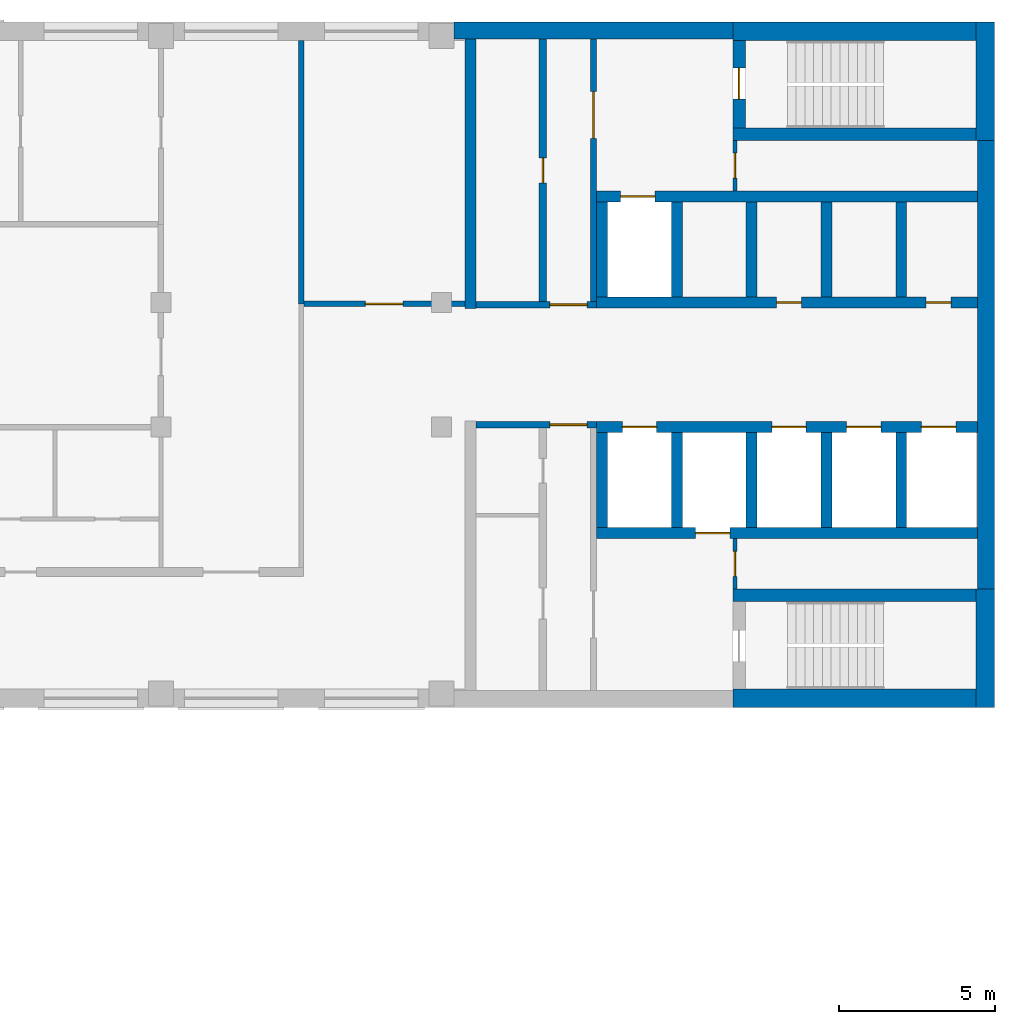
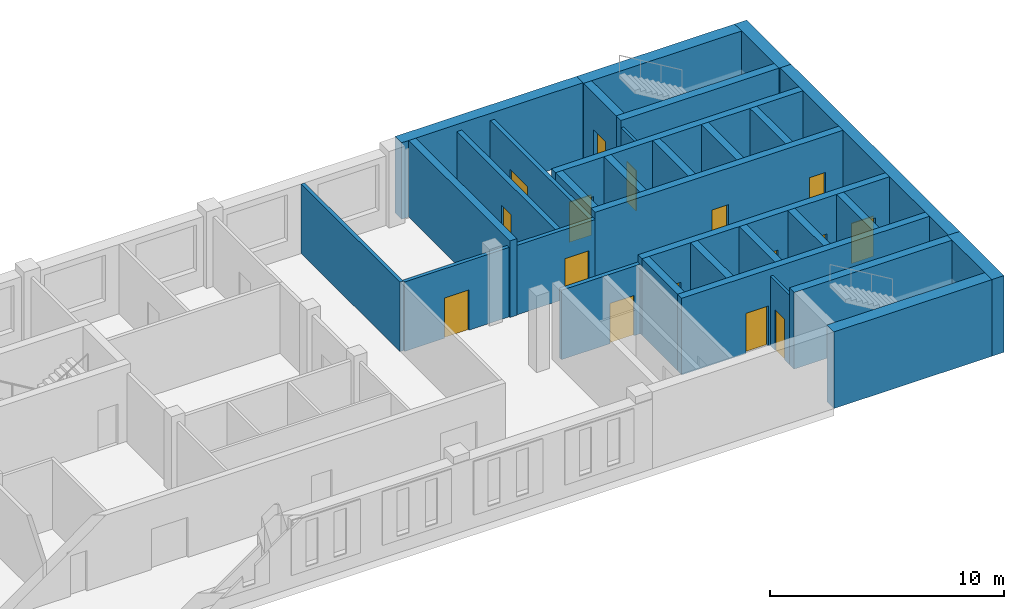
# One storey, part 6 of 8: 32 walls, 16 doors, 16 openings.
"""IFC4 building model written with IfcOpenShell, lengths in metres."""

import ifcopenshell
import ifcopenshell.guid

model = None  # the IFC model being written
_history = None  # IfcOwnerHistory: only IFC2X3 demands one
_inside = {}  # id of a spatial element -> (the spatial element, [elements in it])
_under = {}  # id of a project, library or spatial element -> (it, [spatial elements below it])
_declared = {}  # id of a project -> (the project, [libraries it declares])
_typed = {}  # id of a type object -> (the type object, [elements of that type])
_made_of = {}  # id of a material, layer set ... -> (it, [elements and type objects made of it])


def new_model(schema):
    """Start an empty IFC model of exactly this schema.

    Asked for "IFC4X3", IfcOpenShell would pick the latest addendum, in which some entities
    have other attributes; the version numbers below select the first issue.
    IFC2X3 requires an IfcOwnerHistory on every rooted entity: one is made here for all.
    """
    global model, _history
    if schema == "IFC4X3":
        model = ifcopenshell.file(schema_version=(4, 3, 0, 0))
    else:
        model = ifcopenshell.file(schema=schema)
    _inside.clear()
    _under.clear()
    _declared.clear()
    _typed.clear()
    _made_of.clear()
    _history = None
    if model.schema == "IFC2X3":
        org = make("IfcOrganization", Name="unknown")
        user = make(
            "IfcPersonAndOrganization",
            ThePerson=make("IfcPerson", FamilyName="unknown"),
            TheOrganization=org,
        )
        app = make(
            "IfcApplication",
            ApplicationDeveloper=org,
            Version="unknown",
            ApplicationFullName="unknown",
            ApplicationIdentifier="unknown",
        )
        _history = make(
            "IfcOwnerHistory",
            OwningUser=user,
            OwningApplication=app,
            ChangeAction="ADDED",
            CreationDate=0,
        )
    return model


def make(cls, **values):
    """One entity of the class cls with the attributes given. An attribute that is None is left unset."""
    return model.create_entity(
        cls, **{name: value for name, value in values.items() if value is not None}
    )


def rooted(cls, **values):
    """An entity with a GlobalId (a new one), such as an element, a storey or a relation."""
    return make(cls, GlobalId=ifcopenshell.guid.new(), OwnerHistory=_history, **values)


def si_unit(unit_type, name, prefix=None):
    """IfcSIUnit, for example si_unit("LENGTHUNIT", "METRE", prefix="MILLI")."""
    return make("IfcSIUnit", UnitType=unit_type, Prefix=prefix, Name=name)


def assignment(units):
    """IfcUnitAssignment: the units of a project."""
    return None if units is None else make("IfcUnitAssignment", Units=units)


def point(xyz):
    """IfcCartesianPoint."""
    return None if xyz is None else make("IfcCartesianPoint", Coordinates=xyz)


def direction(xyz):
    """IfcDirection."""
    return None if xyz is None else make("IfcDirection", DirectionRatios=xyz)


def frame(location, z_axis=None, x_axis=None):
    """IfcAxis2Placement3D, a coordinate frame: its origin and axes. An axis left out is left unset."""
    return make(
        "IfcAxis2Placement3D",
        Location=point(location),
        Axis=direction(z_axis),
        RefDirection=direction(x_axis),
    )


def frame_2d(location, x_axis=None):
    """IfcAxis2Placement2D, a coordinate frame in the plane: its origin and x axis."""
    return make(
        "IfcAxis2Placement2D", Location=point(location), RefDirection=direction(x_axis)
    )


def origin():
    """The frame at (0, 0, 0) with its axes left unset."""
    return frame((0.0, 0.0, 0.0))


def place(relative_to, where):
    """IfcLocalPlacement: puts the frame where relative to a parent placement (None: the world)."""
    return make(
        "IfcLocalPlacement", PlacementRelTo=relative_to, RelativePlacement=where
    )


def context(
    kind, dimensions, precision=None, world=None, true_north=None, identifier=None
):
    """IfcGeometricRepresentationContext, for example the 3D "Model" context."""
    return make(
        "IfcGeometricRepresentationContext",
        ContextIdentifier=identifier,
        ContextType=kind,
        CoordinateSpaceDimension=dimensions,
        Precision=precision,
        WorldCoordinateSystem=world,
        TrueNorth=true_north,
    )


def subcontext(parent, identifier, kind, view, scale=None):
    """IfcGeometricRepresentationSubContext, for example "Body" below "Model"."""
    return make(
        "IfcGeometricRepresentationSubContext",
        ContextIdentifier=identifier,
        ContextType=kind,
        ParentContext=parent,
        TargetScale=scale,
        TargetView=view,
    )


def project(units=None, contexts=None):
    """IfcProject with its units and contexts."""
    return rooted(
        "IfcProject",
        Name="project",
        RepresentationContexts=contexts,
        UnitsInContext=assignment(units),
    )


def spatial(cls, under=None, at=None, **own):
    """A site, building, storey or space (cls), placed at a placement, below another one or the project."""
    s = rooted(cls, ObjectPlacement=at, **own)
    if under is not None:
        _under.setdefault(under.id(), (under, []))[1].append(s)
    return s


def profile(cls, at=None, kind="AREA", **sizes):
    """A parametric profile (cls). Its sizes go by their IFC names, for example OverallWidth=200.0."""
    return make(cls, ProfileType=kind, Position=at, **sizes)


def rectangle(**sizes):
    """IfcRectangleProfileDef."""
    return profile("IfcRectangleProfileDef", **sizes)


def extrude(swept, where, along, depth):
    """IfcExtrudedAreaSolid: the profile swept, set in the frame where, extruded along a direction by depth."""
    return make(
        "IfcExtrudedAreaSolid",
        SweptArea=swept,
        Position=where,
        ExtrudedDirection=direction(along),
        Depth=depth,
    )


def shape(context_of_items, identifier, shape_type, items):
    """IfcShapeRepresentation: the items that make up one representation, for example the "Body"."""
    return make(
        "IfcShapeRepresentation",
        ContextOfItems=context_of_items,
        RepresentationIdentifier=identifier,
        RepresentationType=shape_type,
        Items=items,
    )


def material(Name=None, Category=None):
    """IfcMaterial."""
    return make("IfcMaterial", Name=Name, Category=Category)


def layer(
    of_material, thickness, ventilated=None, Name=None, Category=None, Priority=None
):
    """IfcMaterialLayer: one layer of a wall or slab, of a material (None: an air gap)."""
    return make(
        "IfcMaterialLayer",
        Material=of_material,
        LayerThickness=thickness,
        IsVentilated=ventilated,
        Name=Name,
        Category=Category,
        Priority=Priority,
    )


def layer_set(layers, Name=None):
    """IfcMaterialLayerSet."""
    return make("IfcMaterialLayerSet", MaterialLayers=layers, LayerSetName=Name)


def made_of(thing, what):
    """Note that an element or type object is made of a material, layer set ...; save() writes the relation."""
    if what is not None:
        _made_of.setdefault(what.id(), (what, []))[1].append(thing)
    return thing


def type_object(cls, material=None, **own):
    """A type object (cls), such as IfcWallType, which elements share."""
    return made_of(rooted(cls, **own), material)


def element(
    cls,
    number,
    at=None,
    inside=None,
    cuts=None,
    type_object=None,
    material=None,
    context=None,
    identifier="Body",
    shape_type=None,
    held_by="IfcProductDefinitionShape",
    body=None,
    shapes=None,
    **own,
):
    """One element of the class cls, such as IfcWall. Its Tag is "e" and its number.

    at: its placement. inside: the storey or other place that contains it. cuts: it is an
    opening in that element (IfcRelVoidsElement). A single representation is given by context,
    identifier, shape_type and body (its items); several are given by shapes. held_by: the class
    of the entity that holds the representations. save() writes the other relations.
    """
    e = rooted(cls, Tag="e%d" % number, ObjectPlacement=at, **own)
    if body is not None:
        shapes = [shape(context, identifier, shape_type, body)]
    if shapes is not None:
        e.Representation = make(held_by, Representations=shapes)
    if inside is not None:
        _inside.setdefault(inside.id(), (inside, []))[1].append(e)
    if cuts is not None:
        rooted(
            "IfcRelVoidsElement", RelatingBuildingElement=cuts, RelatedOpeningElement=e
        )
    if type_object is not None:
        _typed.setdefault(type_object.id(), (type_object, []))[1].append(e)
    return made_of(e, material)


def fill(opening, filler):
    """IfcRelFillsElement: the door or window that sits in an opening."""
    return rooted(
        "IfcRelFillsElement",
        RelatingOpeningElement=opening,
        RelatedBuildingElement=filler,
    )


def aggregate(whole, parts):
    """IfcRelAggregates: a whole, such as a stair, and the parts it consists of."""
    return rooted("IfcRelAggregates", RelatingObject=whole, RelatedObjects=parts)


def save(model, path):
    """Write the relations noted so far, then the file.

    IfcRelAggregates (storeys below a building ...), IfcRelContainedInSpatialStructure (elements
    in a storey), IfcRelDefinesByType, IfcRelAssociatesMaterial and IfcRelDeclares: one each for
    every whole, place, type object, material and project.
    """
    for whole, parts in _under.values():
        aggregate(whole, parts)
    for where, things in _inside.values():
        rooted(
            "IfcRelContainedInSpatialStructure",
            RelatedElements=things,
            RelatingStructure=where,
        )
    for kind, things in _typed.values():
        rooted("IfcRelDefinesByType", RelatedObjects=things, RelatingType=kind)
    for what, things in _made_of.values():
        rooted("IfcRelAssociatesMaterial", RelatedObjects=things, RelatingMaterial=what)
    for by, libraries in _declared.values():
        rooted("IfcRelDeclares", RelatingContext=by, RelatedDefinitions=libraries)
    model.write(path)


model = new_model("IFC4")

# Units and contexts
model_context = context("Model", 3, precision=1e-05, world=origin(), true_north=direction((0.0, 1.0)))
body_context = subcontext(model_context, "Body", "Model", "MODEL_VIEW")
ifc_project = project(units=[si_unit("LENGTHUNIT", "METRE"), si_unit("AREAUNIT", "SQUARE_METRE"), si_unit("VOLUMEUNIT", "CUBIC_METRE"), si_unit("PLANEANGLEUNIT", "RADIAN"), si_unit("MASSUNIT", "GRAM", prefix="KILO")], contexts=[model_context])

# Site, building, storey
site_placement = place(None, origin())
site = spatial("IfcSite", under=ifc_project, at=site_placement, CompositionType="ELEMENT")
building_placement = place(site_placement, origin())
building = spatial("IfcBuilding", under=site, at=building_placement, Name="Skarvind Civic Tower", CompositionType="ELEMENT")
storey_placement = place(building_placement, frame((0.0, 0.0, 146.5)))
storey = spatial("IfcBuildingStorey", under=building, at=storey_placement, Name="L34", CompositionType="ELEMENT", Elevation=146.5)

# Wall
ifc_material_1 = material(Name="Acoustic gypsum board on steel studs", Category="steel")
ifc_layer_1 = layer(ifc_material_1, 0.175048828125)
ifc_layer_set_1 = layer_set([ifc_layer_1], Name="ACOUSTIC MEETING-ROOM PARTITION 175")
wall_type_1 = type_object("IfcWallType", Name="ACOUSTIC MEETING-ROOM PARTITION 175", PredefinedType="PARTITIONING", material=ifc_layer_set_1)
wall_1_placement = place(storey_placement, frame((85.75, 129.949951171875, 0.0), z_axis=(0.0, 0.0, 1.0), x_axis=(0.0, 1.0, 0.0)))
element("IfcWall", 1, at=wall_1_placement, inside=storey, type_object=wall_type_1, Name="Partition 34.044", PredefinedType="PARTITIONING", context=body_context, shape_type="SweptSolid", body=[
    extrude(rectangle(XDim=8.449951171875, YDim=0.175048828125, at=frame_2d((4.22509765625, 0.0))), origin(), (0.0, 0.0, 1.0), 3.625),
])

# Wall, opening, door
wall_2_placement = place(storey_placement, frame((85.837890625, 129.949951171875, 0.0), z_axis=(0.0, 0.0, 1.0), x_axis=(1.0, 0.0, 0.0)))
wall_2 = element("IfcWall", 2, at=wall_2_placement, inside=storey, type_object=wall_type_1, Name="Partition 34.045", PredefinedType="PARTITIONING", context=body_context, shape_type="SweptSolid", body=[
    extrude(rectangle(XDim=5.162109375, YDim=0.175048828125, at=frame_2d((2.5810546875, 0.0))), origin(), (0.0, 0.0, 1.0), 3.625),
])
opening_1_placement = place(wall_2_placement, frame((1.970947265625, 0.0, 0.0)))
opening_1 = element("IfcOpeningElement", 3, at=opening_1_placement, cuts=wall_2, Name="Opening L34-D001", PredefinedType="OPENING", context=body_context, shape_type="SweptSolid", body=[
    extrude(rectangle(XDim=1.199951171875, YDim=2.10009765625, at=frame_2d((0.60009765625, 1.050048828125))), frame((0.0, 0.097412109375, 0.0), z_axis=(0.0, -1.0, 0.0), x_axis=(1.0, 0.0, 0.0)), (0.0, 0.0, 1.0), 0.195068359375),
])
ifc_material_2 = material(Name="Timber door leaf", Category="wood")
door_type_1 = type_object("IfcDoorType", Name="DOOR 1200X2100 DOUBLE TIMBER", OperationType="NOTDEFINED", PredefinedType="DOOR", material=ifc_material_2)
door_1_placement = place(opening_1_placement, origin())
door_1 = element("IfcDoor", 4, at=door_1_placement, inside=storey, type_object=door_type_1, Name="Door L34-D001", OperationType="DOUBLE_DOOR_SINGLE_SWING", OverallHeight=2.10009765625, OverallWidth=1.199951171875, PredefinedType="DOOR", context=body_context, shape_type="SweptSolid", body=[
    extrude(rectangle(XDim=1.199951171875, YDim=2.10009765625, at=frame_2d((0.60009765625, 1.050048828125))), frame((0.0, 0.02490234375, 0.0), z_axis=(0.0, -1.0, 0.0), x_axis=(1.0, 0.0, 0.0)), (0.0, 0.0, 1.0), 0.050048828125),
])
fill(opening_1, door_1)

ifc_material_3 = material(Name="Fire-rated masonry partition", Category="masonry")
ifc_layer_2 = layer(ifc_material_3, 0.199951171875)
ifc_layer_set_2 = layer_set([ifc_layer_2], Name="Core enclosure wall 200")
wall_type_2 = type_object("IfcWallType", Name="Core enclosure wall 200", PredefinedType="PARTITIONING", material=ifc_layer_set_2)
wall_3_placement = place(storey_placement, frame((95.22509765625, 126.074951171875, 0.0), z_axis=(0.0, 0.0, 1.0), x_axis=(-1.0, 0.0, 0.0)))
wall_3 = element("IfcWall", 5, at=wall_3_placement, inside=storey, type_object=wall_type_2, Name="Core wall C1", PredefinedType="PARTITIONING", context=body_context, shape_type="SweptSolid", body=[
    extrude(rectangle(XDim=3.875, YDim=0.199951171875, at=frame_2d((1.9375, 0.0))), origin(), (0.0, 0.0, 1.0), 3.625),
])
opening_2_placement = place(wall_3_placement, frame((0.300048828125, 0.0, 0.0)))
opening_2 = element("IfcOpeningElement", 6, at=opening_2_placement, cuts=wall_3, Name="Opening D-L34-C1-07", PredefinedType="OPENING", context=body_context, shape_type="SweptSolid", body=[
    extrude(rectangle(XDim=1.199951171875, YDim=2.10009765625, at=frame_2d((0.60009765625, 1.050048828125))), frame((0.0, 0.10986328125, 0.0), z_axis=(0.0, -1.0, 0.0), x_axis=(1.0, 0.0, 0.0)), (0.0, 0.0, 1.0), 0.219970703125),
])
ifc_material_4 = material(Name="Fire-rated steel door", Category="steel")
door_type_2 = type_object("IfcDoorType", Name="Core lobby door 1200", OperationType="NOTDEFINED", PredefinedType="DOOR", material=ifc_material_4)
door_2_placement = place(opening_2_placement, origin())
door_2 = element("IfcDoor", 7, at=door_2_placement, inside=storey, type_object=door_type_2, Name="Fire door", OperationType="DOUBLE_DOOR_SINGLE_SWING", OverallHeight=2.10009765625, OverallWidth=1.199951171875, PredefinedType="DOOR", context=body_context, shape_type="SweptSolid", body=[
    extrude(rectangle(XDim=1.199951171875, YDim=2.10009765625, at=frame_2d((0.60009765625, 1.050048828125))), frame((0.0, 0.02490234375, 0.0), z_axis=(0.0, -1.0, 0.0), x_axis=(1.0, 0.0, 0.0)), (0.0, 0.0, 1.0), 0.050048828125),
])
fill(opening_2, door_2)

wall_4_placement = place(storey_placement, frame((91.35009765625, 129.925048828125, 0.0), z_axis=(0.0, 0.0, 1.0), x_axis=(1.0, 0.0, 0.0)))
wall_4 = element("IfcWall", 8, at=wall_4_placement, inside=storey, type_object=wall_type_2, Name="Core wall C1", PredefinedType="PARTITIONING", context=body_context, shape_type="SweptSolid", body=[
    extrude(rectangle(XDim=3.875, YDim=0.199951171875, at=frame_2d((1.9375, 0.0))), origin(), (0.0, 0.0, 1.0), 3.625),
])
opening_3_placement = place(wall_4_placement, frame((2.375, 0.0, 0.0)))
opening_3 = element("IfcOpeningElement", 9, at=opening_3_placement, cuts=wall_4, Name="Opening D-L34-C1-13", PredefinedType="OPENING", context=body_context, shape_type="SweptSolid", body=[
    extrude(rectangle(XDim=1.199951171875, YDim=2.10009765625, at=frame_2d((0.60009765625, 1.050048828125))), frame((0.0, 0.10986328125, 0.0), z_axis=(0.0, -1.0, 0.0), x_axis=(1.0, 0.0, 0.0)), (0.0, 0.0, 1.0), 0.219970703125),
])
door_3_placement = place(opening_3_placement, origin())
door_3 = element("IfcDoor", 10, at=door_3_placement, inside=storey, type_object=door_type_2, Name="Fire door", OperationType="DOUBLE_DOOR_SINGLE_SWING", OverallHeight=2.10009765625, OverallWidth=1.199951171875, PredefinedType="DOOR", context=body_context, shape_type="SweptSolid", body=[
    extrude(rectangle(XDim=1.199951171875, YDim=2.10009765625, at=frame_2d((0.60009765625, 1.050048828125))), frame((0.0, 0.02490234375, 0.0), z_axis=(0.0, -1.0, 0.0), x_axis=(1.0, 0.0, 0.0)), (0.0, 0.0, 1.0), 0.050048828125),
])
fill(opening_3, door_3)

wall_5_placement = place(storey_placement, frame((95.125, 130.02490234375, 0.0), z_axis=(0.0, 0.0, 1.0), x_axis=(0.0, 1.0, 0.0)))
wall_5 = element("IfcWall", 11, at=wall_5_placement, inside=storey, type_object=wall_type_2, Name="Core wall C1", PredefinedType="PARTITIONING", context=body_context, shape_type="SweptSolid", body=[
    extrude(rectangle(XDim=8.425048828125, YDim=0.199951171875, at=frame_2d((4.21240234375, 0.0))), origin(), (0.0, 0.0, 1.0), 3.625),
])
opening_4_placement = place(wall_5_placement, frame((5.237548828125, 0.0, 0.0)))
opening_4 = element("IfcOpeningElement", 12, at=opening_4_placement, cuts=wall_5, Name="Opening D-L34-C1-14", PredefinedType="OPENING", context=body_context, shape_type="SweptSolid", body=[
    extrude(rectangle(XDim=1.5, YDim=2.10009765625, at=frame_2d((0.75, 1.050048828125))), frame((0.0, 0.10986328125, 0.0), z_axis=(0.0, -1.0, 0.0), x_axis=(1.0, 0.0, 0.0)), (0.0, 0.0, 1.0), 0.219970703125),
])
door_type_3 = type_object("IfcDoorType", Name="Fire door 1500", OperationType="NOTDEFINED", PredefinedType="DOOR", material=ifc_material_4)
door_4_placement = place(opening_4_placement, origin())
door_4 = element("IfcDoor", 13, at=door_4_placement, inside=storey, type_object=door_type_3, Name="Fire door", OperationType="DOUBLE_DOOR_SINGLE_SWING", OverallHeight=2.10009765625, OverallWidth=1.5, PredefinedType="DOOR", context=body_context, shape_type="SweptSolid", body=[
    extrude(rectangle(XDim=1.5, YDim=2.10009765625, at=frame_2d((0.75, 1.050048828125))), frame((0.0, 0.02490234375, 0.0), z_axis=(0.0, -1.0, 0.0), x_axis=(1.0, 0.0, 0.0)), (0.0, 0.0, 1.0), 0.050048828125),
])
fill(opening_4, door_4)

# Wall, openings, doors
ifc_material_5 = material(Name="Concrete C60", Category="concrete")
ifc_layer_3 = layer(ifc_material_5, 0.35009765625)
ifc_layer_set_3 = layer_set([ifc_layer_3], Name="Core wall 350 C60")
wall_type_3 = type_object("IfcWallType", Name="Core wall 350 C60", PredefinedType="SHEAR", material=ifc_layer_set_3)
wall_6_placement = place(storey_placement, frame((107.449951171875, 130.0, 0.0), z_axis=(0.0, 0.0, 1.0), x_axis=(-1.0, 0.0, 0.0)))
wall_6 = element("IfcWall", 14, at=wall_6_placement, inside=storey, type_object=wall_type_3, Name="Core wall C1 south lift row front L34", PredefinedType="SHEAR", context=body_context, shape_type="SweptSolid", body=[
    extrude(rectangle(XDim=12.224853515625, YDim=0.35009765625, at=frame_2d((6.1123046875, 0.0))), origin(), (0.0, 0.0, 1.0), 4.0),
])
opening_5_placement = place(wall_6_placement, frame((0.85009765625, 0.0, 0.0)))
opening_5 = element("IfcOpeningElement", 15, at=opening_5_placement, cuts=wall_6, Name="Opening D-L34-C1-05", PredefinedType="OPENING", context=body_context, shape_type="SweptSolid", body=[
    extrude(rectangle(XDim=0.800048828125, YDim=2.10009765625, at=frame_2d((0.39990234375, 1.050048828125))), frame((0.0, 0.18505859375, 0.0), z_axis=(0.0, -1.0, 0.0), x_axis=(1.0, 0.0, 0.0)), (0.0, 0.0, 1.0), 0.3701171875),
])
opening_6_placement = place(wall_6_placement, frame((5.64990234375, 0.0, 0.0)))
opening_6 = element("IfcOpeningElement", 16, at=opening_6_placement, cuts=wall_6, Name="Opening D-L34-C1-06", PredefinedType="OPENING", context=body_context, shape_type="SweptSolid", body=[
    extrude(rectangle(XDim=0.800048828125, YDim=2.10009765625, at=frame_2d((0.39990234375, 1.050048828125))), frame((0.0, 0.18505859375, 0.0), z_axis=(0.0, -1.0, 0.0), x_axis=(1.0, 0.0, 0.0)), (0.0, 0.0, 1.0), 0.3701171875),
])
door_type_4 = type_object("IfcDoorType", Name="Core riser door 800", OperationType="NOTDEFINED", PredefinedType="DOOR", material=ifc_material_4)
door_5_placement = place(opening_5_placement, origin())
door_5 = element("IfcDoor", 17, at=door_5_placement, inside=storey, type_object=door_type_4, Name="Riser door", OperationType="SINGLE_SWING_LEFT", OverallHeight=2.10009765625, OverallWidth=0.800048828125, PredefinedType="DOOR", context=body_context, shape_type="SweptSolid", body=[
    extrude(rectangle(XDim=0.800048828125, YDim=2.10009765625, at=frame_2d((0.39990234375, 1.050048828125))), frame((0.0, 0.02490234375, 0.0), z_axis=(0.0, -1.0, 0.0), x_axis=(1.0, 0.0, 0.0)), (0.0, 0.0, 1.0), 0.050048828125),
])
fill(opening_5, door_5)
door_6_placement = place(opening_6_placement, origin())
door_6 = element("IfcDoor", 18, at=door_6_placement, inside=storey, type_object=door_type_4, Name="Riser door", OperationType="SINGLE_SWING_RIGHT", OverallHeight=2.10009765625, OverallWidth=0.800048828125, PredefinedType="DOOR", context=body_context, shape_type="SweptSolid", body=[
    extrude(rectangle(XDim=0.800048828125, YDim=2.10009765625, at=frame_2d((0.39990234375, 1.050048828125))), frame((0.0, 0.02490234375, 0.0), z_axis=(0.0, -1.0, 0.0), x_axis=(1.0, 0.0, 0.0)), (0.0, 0.0, 1.0), 0.050048828125),
])
fill(opening_6, door_6)

# Wall, opening, door
wall_7_placement = place(storey_placement, frame((107.449951171875, 133.39990234375, 0.0), z_axis=(0.0, 0.0, 1.0), x_axis=(-1.0, 0.0, 0.0)))
wall_7 = element("IfcWall", 19, at=wall_7_placement, inside=storey, type_object=wall_type_3, Name="Core wall C1 south lift row back L34", PredefinedType="SHEAR", context=body_context, shape_type="SweptSolid", body=[
    extrude(rectangle(XDim=12.224853515625, YDim=0.35009765625, at=frame_2d((6.1123046875, 0.0))), origin(), (0.0, 0.0, 1.0), 4.0),
])
opening_7_placement = place(wall_7_placement, frame((10.35009765625, 0.0, 0.0)))
opening_7 = element("IfcOpeningElement", 20, at=opening_7_placement, cuts=wall_7, Name="Opening LD36110", PredefinedType="OPENING", context=body_context, shape_type="SweptSolid", body=[
    extrude(rectangle(XDim=1.10009765625, YDim=2.10009765625, at=frame_2d((0.550048828125, 1.050048828125))), frame((0.0, 0.18505859375, 0.0), z_axis=(0.0, -1.0, 0.0), x_axis=(1.0, 0.0, 0.0)), (0.0, 0.0, 1.0), 0.3701171875),
])
ifc_material_6 = material(Name="Stainless steel landing door", Category="steel")
door_type_5 = type_object("IfcDoorType", Name="Lift landing door 1100", OperationType="DOUBLE_DOOR_SLIDING", PredefinedType="DOOR", material=ifc_material_6)
door_7_placement = place(opening_7_placement, origin())
door_7 = element("IfcDoor", 21, at=door_7_placement, inside=storey, type_object=door_type_5, Name="Lift landing door", OperationType="DOUBLE_DOOR_SLIDING", OverallHeight=2.10009765625, OverallWidth=1.10009765625, PredefinedType="DOOR", context=body_context, shape_type="SweptSolid", body=[
    extrude(rectangle(XDim=1.10009765625, YDim=2.10009765625, at=frame_2d((0.550048828125, 1.050048828125))), frame((0.0, 0.02490234375, 0.0), z_axis=(0.0, -1.0, 0.0), x_axis=(1.0, 0.0, 0.0)), (0.0, 0.0, 1.0), 0.050048828125),
])
fill(opening_7, door_7)

# Walls
for number, where, z_axis, x_axis, name in (
    (22, (105.0, 133.22509765625, 0.0), (0.0, 0.0, 1.0), (0.0, -1.0, 0.0), "Core wall C1 south lift row division 1 L34"),
    (23, (102.60009765625, 133.22509765625, 0.0), (0.0, 0.0, 1.0), (0.0, -1.0, 0.0), "Core wall C1 south lift row division 2 L34"),
    (24, (100.199951171875, 133.22509765625, 0.0), (0.0, 0.0, 1.0), (0.0, -1.0, 0.0), "Core wall C1 south lift row division 3 L34"),
    (25, (97.800048828125, 133.22509765625, 0.0), (0.0, 0.0, 1.0), (0.0, -1.0, 0.0), "Core wall C1 south lift row division 4 L34"),
    (26, (95.39990234375, 133.22509765625, 0.0), (0.0, 0.0, 1.0), (0.0, -1.0, 0.0), "Core wall C1 south lift row division 5 L34"),
):
    element("IfcWall", number, at=place(storey_placement, frame(where, z_axis=z_axis, x_axis=x_axis)), inside=storey, type_object=wall_type_3, Name=name, PredefinedType="SHEAR", context=body_context, shape_type="SweptSolid", body=[
        extrude(rectangle(XDim=3.050048828125, YDim=0.35009765625, at=frame_2d((1.52490234375, 0.0))), origin(), (0.0, 0.0, 1.0), 4.0),
    ])

# Wall, openings, doors
wall_8_placement = place(storey_placement, frame((107.449951171875, 126.0, 0.0), z_axis=(0.0, 0.0, 1.0), x_axis=(-1.0, 0.0, 0.0)))
wall_8 = element("IfcWall", 27, at=wall_8_placement, inside=storey, type_object=wall_type_3, Name="Core wall C1 north lift row front L34", PredefinedType="SHEAR", context=body_context, shape_type="SweptSolid", body=[
    extrude(rectangle(XDim=12.224853515625, YDim=0.35009765625, at=frame_2d((6.1123046875, 0.0))), origin(), (0.0, 0.0, 1.0), 4.0),
])
opening_8_placement = place(wall_8_placement, frame((0.699951171875, 0.0, 0.0)))
opening_8 = element("IfcOpeningElement", 28, at=opening_8_placement, cuts=wall_8, Name="Opening LD36101", PredefinedType="OPENING", context=body_context, shape_type="SweptSolid", body=[
    extrude(rectangle(XDim=1.10009765625, YDim=2.10009765625, at=frame_2d((0.550048828125, 1.050048828125))), frame((0.0, 0.18505859375, 0.0), z_axis=(0.0, -1.0, 0.0), x_axis=(1.0, 0.0, 0.0)), (0.0, 0.0, 1.0), 0.3701171875),
])
opening_9_placement = place(wall_8_placement, frame((3.10009765625, 0.0, 0.0)))
opening_9 = element("IfcOpeningElement", 29, at=opening_9_placement, cuts=wall_8, Name="Opening LD36102", PredefinedType="OPENING", context=body_context, shape_type="SweptSolid", body=[
    extrude(rectangle(XDim=1.10009765625, YDim=2.10009765625, at=frame_2d((0.550048828125, 1.050048828125))), frame((0.0, 0.18505859375, 0.0), z_axis=(0.0, -1.0, 0.0), x_axis=(1.0, 0.0, 0.0)), (0.0, 0.0, 1.0), 0.3701171875),
])
opening_10_placement = place(wall_8_placement, frame((5.5, 0.0, 0.0)))
opening_10 = element("IfcOpeningElement", 30, at=opening_10_placement, cuts=wall_8, Name="Opening LD36103", PredefinedType="OPENING", context=body_context, shape_type="SweptSolid", body=[
    extrude(rectangle(XDim=1.10009765625, YDim=2.10009765625, at=frame_2d((0.550048828125, 1.050048828125))), frame((0.0, 0.18505859375, 0.0), z_axis=(0.0, -1.0, 0.0), x_axis=(1.0, 0.0, 0.0)), (0.0, 0.0, 1.0), 0.3701171875),
])
opening_11_placement = place(wall_8_placement, frame((10.300048828125, 0.0, 0.0)))
opening_11 = element("IfcOpeningElement", 31, at=opening_11_placement, cuts=wall_8, Name="Opening LD36105", PredefinedType="OPENING", context=body_context, shape_type="SweptSolid", body=[
    extrude(rectangle(XDim=1.10009765625, YDim=2.10009765625, at=frame_2d((0.550048828125, 1.050048828125))), frame((0.0, 0.18505859375, 0.0), z_axis=(0.0, -1.0, 0.0), x_axis=(1.0, 0.0, 0.0)), (0.0, 0.0, 1.0), 0.3701171875),
])
door_8_placement = place(opening_8_placement, origin())
door_8 = element("IfcDoor", 32, at=door_8_placement, inside=storey, type_object=door_type_5, Name="Lift landing door", OperationType="DOUBLE_DOOR_SLIDING", OverallHeight=2.10009765625, OverallWidth=1.10009765625, PredefinedType="DOOR", context=body_context, shape_type="SweptSolid", body=[
    extrude(rectangle(XDim=1.10009765625, YDim=2.10009765625, at=frame_2d((0.550048828125, 1.050048828125))), frame((0.0, 0.02490234375, 0.0), z_axis=(0.0, -1.0, 0.0), x_axis=(1.0, 0.0, 0.0)), (0.0, 0.0, 1.0), 0.050048828125),
])
fill(opening_8, door_8)
door_9_placement = place(opening_9_placement, origin())
door_9 = element("IfcDoor", 33, at=door_9_placement, inside=storey, type_object=door_type_5, Name="Lift landing door", OperationType="DOUBLE_DOOR_SLIDING", OverallHeight=2.10009765625, OverallWidth=1.10009765625, PredefinedType="DOOR", context=body_context, shape_type="SweptSolid", body=[
    extrude(rectangle(XDim=1.10009765625, YDim=2.10009765625, at=frame_2d((0.550048828125, 1.050048828125))), frame((0.0, 0.02490234375, 0.0), z_axis=(0.0, -1.0, 0.0), x_axis=(1.0, 0.0, 0.0)), (0.0, 0.0, 1.0), 0.050048828125),
])
fill(opening_9, door_9)
door_10_placement = place(opening_10_placement, origin())
door_10 = element("IfcDoor", 34, at=door_10_placement, inside=storey, type_object=door_type_5, Name="Lift landing door", OperationType="DOUBLE_DOOR_SLIDING", OverallHeight=2.10009765625, OverallWidth=1.10009765625, PredefinedType="DOOR", context=body_context, shape_type="SweptSolid", body=[
    extrude(rectangle(XDim=1.10009765625, YDim=2.10009765625, at=frame_2d((0.550048828125, 1.050048828125))), frame((0.0, 0.02490234375, 0.0), z_axis=(0.0, -1.0, 0.0), x_axis=(1.0, 0.0, 0.0)), (0.0, 0.0, 1.0), 0.050048828125),
])
fill(opening_10, door_10)
door_11_placement = place(opening_11_placement, origin())
door_11 = element("IfcDoor", 35, at=door_11_placement, inside=storey, type_object=door_type_5, Name="Lift landing door", OperationType="DOUBLE_DOOR_SLIDING", OverallHeight=2.10009765625, OverallWidth=1.10009765625, PredefinedType="DOOR", context=body_context, shape_type="SweptSolid", body=[
    extrude(rectangle(XDim=1.10009765625, YDim=2.10009765625, at=frame_2d((0.550048828125, 1.050048828125))), frame((0.0, 0.02490234375, 0.0), z_axis=(0.0, -1.0, 0.0), x_axis=(1.0, 0.0, 0.0)), (0.0, 0.0, 1.0), 0.050048828125),
])
fill(opening_11, door_11)

# Wall, opening, door
wall_9_placement = place(storey_placement, frame((107.449951171875, 122.60009765625, 0.0), z_axis=(0.0, 0.0, 1.0), x_axis=(-1.0, 0.0, 0.0)))
wall_9 = element("IfcWall", 36, at=wall_9_placement, inside=storey, type_object=wall_type_3, Name="Core wall C1 north lift row back L34", PredefinedType="SHEAR", context=body_context, shape_type="SweptSolid", body=[
    extrude(rectangle(XDim=12.224853515625, YDim=0.35009765625, at=frame_2d((6.1123046875, 0.0))), origin(), (0.0, 0.0, 1.0), 4.0),
])
opening_12_placement = place(wall_9_placement, frame((7.949951171875, 0.0, 0.0)))
opening_12 = element("IfcOpeningElement", 37, at=opening_12_placement, cuts=wall_9, Name="Opening LD36104", PredefinedType="OPENING", context=body_context, shape_type="SweptSolid", body=[
    extrude(rectangle(XDim=1.10009765625, YDim=2.10009765625, at=frame_2d((0.550048828125, 1.050048828125))), frame((0.0, 0.18505859375, 0.0), z_axis=(0.0, -1.0, 0.0), x_axis=(1.0, 0.0, 0.0)), (0.0, 0.0, 1.0), 0.3701171875),
])
door_12_placement = place(opening_12_placement, origin())
door_12 = element("IfcDoor", 38, at=door_12_placement, inside=storey, type_object=door_type_5, Name="Lift landing door", OperationType="DOUBLE_DOOR_SLIDING", OverallHeight=2.10009765625, OverallWidth=1.10009765625, PredefinedType="DOOR", context=body_context, shape_type="SweptSolid", body=[
    extrude(rectangle(XDim=1.10009765625, YDim=2.10009765625, at=frame_2d((0.550048828125, 1.050048828125))), frame((0.0, 0.02490234375, 0.0), z_axis=(0.0, -1.0, 0.0), x_axis=(1.0, 0.0, 0.0)), (0.0, 0.0, 1.0), 0.050048828125),
])
fill(opening_12, door_12)

# Walls
for number, where, z_axis, x_axis, name in (
    (39, (105.0, 125.824951171875, 0.0), (0.0, 0.0, 1.0), (0.0, -1.0, 0.0), "Core wall C1 north lift row division 1 L34"),
    (40, (102.60009765625, 125.824951171875, 0.0), (0.0, 0.0, 1.0), (0.0, -1.0, 0.0), "Core wall C1 north lift row division 2 L34"),
    (41, (100.199951171875, 125.824951171875, 0.0), (0.0, 0.0, 1.0), (0.0, -1.0, 0.0), "Core wall C1 north lift row division 3 L34"),
    (42, (97.800048828125, 125.824951171875, 0.0), (0.0, 0.0, 1.0), (0.0, -1.0, 0.0), "Core wall C1 north lift row division 4 L34"),
    (43, (95.39990234375, 125.824951171875, 0.0), (0.0, 0.0, 1.0), (0.0, -1.0, 0.0), "Core wall C1 north lift row division 5 L34"),
):
    element("IfcWall", number, at=place(storey_placement, frame(where, z_axis=z_axis, x_axis=x_axis)), inside=storey, type_object=wall_type_3, Name=name, PredefinedType="SHEAR", context=body_context, shape_type="SweptSolid", body=[
        extrude(rectangle(XDim=3.050048828125, YDim=0.35009765625, at=frame_2d((1.52490234375, 0.0))), origin(), (0.0, 0.0, 1.0), 4.0),
    ])
wall_10_placement = place(storey_placement, frame((91.175048828125, 138.449951171875, 0.0), z_axis=(0.0, 0.0, 1.0), x_axis=(0.0, -1.0, 0.0)))
element("IfcWall", 44, at=wall_10_placement, inside=storey, type_object=wall_type_3, Name="Core wall C1 south inner face L34", PredefinedType="SHEAR", context=body_context, shape_type="SweptSolid", body=[
    extrude(rectangle(XDim=8.64990234375, YDim=0.35009765625, at=frame_2d((4.324951171875, 0.0))), origin(), (0.0, 0.0, 1.0), 4.0),
])
ifc_layer_4 = layer(ifc_material_5, 0.39990234375)
ifc_layer_set_4 = layer_set([ifc_layer_4], Name="Core wall 400 C60")
wall_type_4 = type_object("IfcWallType", Name="Core wall 400 C60", PredefinedType="SHEAR", material=ifc_layer_set_4)
wall_11_placement = place(storey_placement, frame((107.39990234375, 135.39990234375, 0.0), z_axis=(0.0, 0.0, 1.0), x_axis=(-1.0, 0.0, 0.0)))
element("IfcWall", 45, at=wall_11_placement, inside=storey, type_object=wall_type_4, Name="Core wall C1 south stair inner L34", PredefinedType="SHEAR", context=body_context, shape_type="SweptSolid", body=[
    extrude(rectangle(XDim=7.7998046875, YDim=0.39990234375, at=frame_2d((3.89990234375, 0.0))), origin(), (0.0, 0.0, 1.0), 4.0),
])

# Wall, opening, door
wall_12_placement = place(storey_placement, frame((99.800048828125, 138.39990234375, 0.0), z_axis=(0.0, 0.0, 1.0), x_axis=(0.0, -1.0, 0.0)))
wall_12 = element("IfcWall", 46, at=wall_12_placement, inside=storey, type_object=wall_type_4, Name="Core wall C1 south stair end L34", PredefinedType="SHEAR", context=body_context, shape_type="SweptSolid", body=[
    extrude(rectangle(XDim=2.7998046875, YDim=0.39990234375, at=frame_2d((1.39990234375, 0.0))), origin(), (0.0, 0.0, 1.0), 4.0),
])
opening_13_placement = place(wall_12_placement, frame((0.875, 0.0, 0.0)))
opening_13 = element("IfcOpeningElement", 47, at=opening_13_placement, cuts=wall_12, Name="Opening D-L34-C1-15", PredefinedType="OPENING", context=body_context, shape_type="SweptSolid", body=[
    extrude(rectangle(XDim=1.0, YDim=2.10009765625, at=frame_2d((0.5, 1.050048828125))), frame((0.0, 0.2099609375, 0.0), z_axis=(0.0, -1.0, 0.0), x_axis=(1.0, 0.0, 0.0)), (0.0, 0.0, 1.0), 0.419921875),
])
door_type_6 = type_object("IfcDoorType", Name="Fire door 1000", OperationType="NOTDEFINED", PredefinedType="DOOR", material=ifc_material_4)
door_13_placement = place(opening_13_placement, origin())
door_13 = element("IfcDoor", 48, at=door_13_placement, inside=storey, type_object=door_type_6, Name="Fire door", OperationType="SINGLE_SWING_RIGHT", OverallHeight=2.10009765625, OverallWidth=1.0, PredefinedType="DOOR", context=body_context, shape_type="SweptSolid", body=[
    extrude(rectangle(XDim=1.0, YDim=2.10009765625, at=frame_2d((0.5, 1.050048828125))), frame((0.0, 0.02490234375, 0.0), z_axis=(0.0, -1.0, 0.0), x_axis=(1.0, 0.0, 0.0)), (0.0, 0.0, 1.0), 0.050048828125),
])
fill(opening_13, door_13)

# Walls
wall_13_placement = place(storey_placement, frame((107.39990234375, 120.60009765625, 0.0), z_axis=(0.0, 0.0, 1.0), x_axis=(-1.0, 0.0, 0.0)))
element("IfcWall", 49, at=wall_13_placement, inside=storey, type_object=wall_type_4, Name="Core wall C1 north stair inner L34", PredefinedType="SHEAR", context=body_context, shape_type="SweptSolid", body=[
    extrude(rectangle(XDim=7.7998046875, YDim=0.39990234375, at=frame_2d((3.89990234375, 0.0))), origin(), (0.0, 0.0, 1.0), 4.0),
])
ifc_layer_5 = layer(ifc_material_5, 0.550048828125)
ifc_layer_set_5 = layer_set([ifc_layer_5], Name="Core wall 550 C60")
wall_type_5 = type_object("IfcWallType", Name="Core wall 550 C60", PredefinedType="SHEAR", material=ifc_layer_set_5)
wall_14_placement = place(storey_placement, frame((107.72509765625, 135.199951171875, 0.0), z_axis=(0.0, 0.0, 1.0), x_axis=(0.0, -1.0, 0.0)))
element("IfcWall", 50, at=wall_14_placement, inside=storey, type_object=wall_type_5, Name="Core wall C1 tip between the stairs L34", PredefinedType="SHEAR", context=body_context, shape_type="SweptSolid", body=[
    extrude(rectangle(XDim=14.39990234375, YDim=0.550048828125, at=frame_2d((7.199951171875, 0.0))), origin(), (0.0, 0.0, 1.0), 4.0),
])
wall_15_placement = place(storey_placement, frame((99.60009765625, 138.72509765625, 0.0), z_axis=(0.0, 0.0, 1.0), x_axis=(-1.0, 0.0, 0.0)))
element("IfcWall", 51, at=wall_15_placement, inside=storey, type_object=wall_type_5, Name="Core wall C1 south side L34", PredefinedType="SHEAR", context=body_context, shape_type="SweptSolid", body=[
    extrude(rectangle(XDim=8.9501953125, YDim=0.550048828125, at=frame_2d((4.47509765625, 0.0))), origin(), (0.0, 0.0, 1.0), 4.0),
])
ifc_layer_6 = layer(ifc_material_5, 0.60009765625)
ifc_layer_set_6 = layer_set([ifc_layer_6], Name="Core wall 600 C60")
wall_type_6 = type_object("IfcWallType", Name="Core wall 600 C60", PredefinedType="SHEAR", material=ifc_layer_set_6)
for number, where, z_axis, x_axis, name in (
    (52, (107.699951171875, 139.0, 0.0), (0.0, 0.0, 1.0), (0.0, -1.0, 0.0), "Core wall C1 tip at the south stair L34"),
    (53, (107.699951171875, 120.800048828125, 0.0), (0.0, 0.0, 1.0), (0.0, -1.0, 0.0), "Core wall C1 tip at the north stair L34"),
):
    element("IfcWall", number, at=place(storey_placement, frame(where, z_axis=z_axis, x_axis=x_axis)), inside=storey, type_object=wall_type_6, Name=name, PredefinedType="SHEAR", context=body_context, shape_type="SweptSolid", body=[
        extrude(rectangle(XDim=3.800048828125, YDim=0.60009765625, at=frame_2d((1.89990234375, 0.0))), origin(), (0.0, 0.0, 1.0), 4.0),
    ])
for number, where, z_axis, x_axis, name in (
    (54, (107.39990234375, 138.699951171875, 0.0), (0.0, 0.0, 1.0), (-1.0, 0.0, 0.0), "Core wall C1 south side at the stair L34"),
    (55, (107.39990234375, 117.300048828125, 0.0), (0.0, 0.0, 1.0), (-1.0, 0.0, 0.0), "Core wall C1 north side at the stair L34"),
):
    element("IfcWall", number, at=place(storey_placement, frame(where, z_axis=z_axis, x_axis=x_axis)), inside=storey, type_object=wall_type_6, Name=name, PredefinedType="SHEAR", context=body_context, shape_type="SweptSolid", body=[
        extrude(rectangle(XDim=7.7998046875, YDim=0.60009765625, at=frame_2d((3.89990234375, 0.0))), origin(), (0.0, 0.0, 1.0), 4.0),
    ])

# Wall, opening, door
ifc_layer_7 = layer(ifc_material_3, 0.125)
ifc_layer_set_7 = layer_set([ifc_layer_7], Name="Riser wall 125")
wall_type_7 = type_object("IfcWallType", Name="Riser wall 125", PredefinedType="PARTITIONING", material=ifc_layer_set_7)
wall_16_placement = place(storey_placement, frame((99.66259765625, 120.800048828125, 0.0), z_axis=(0.0, 0.0, 1.0), x_axis=(0.0, 1.0, 0.0)))
wall_16 = element("IfcWall", 56, at=wall_16_placement, inside=storey, type_object=wall_type_7, Name="Core wall C1", PredefinedType="PARTITIONING", context=body_context, shape_type="SweptSolid", body=[
    extrude(rectangle(XDim=1.625, YDim=0.125, at=frame_2d((0.8125, 0.0))), origin(), (0.0, 0.0, 1.0), 3.625),
])
opening_14_placement = place(wall_16_placement, frame((0.41259765625, 0.0, 0.0)))
opening_14 = element("IfcOpeningElement", 57, at=opening_14_placement, cuts=wall_16, Name="Opening D-L34-C1-10", PredefinedType="OPENING", context=body_context, shape_type="SweptSolid", body=[
    extrude(rectangle(XDim=0.800048828125, YDim=2.10009765625, at=frame_2d((0.39990234375, 1.050048828125))), frame((0.0, 0.072509765625, 0.0), z_axis=(0.0, -1.0, 0.0), x_axis=(1.0, 0.0, 0.0)), (0.0, 0.0, 1.0), 0.14501953125),
])
door_14_placement = place(opening_14_placement, origin())
door_14 = element("IfcDoor", 58, at=door_14_placement, inside=storey, type_object=door_type_4, Name="Riser door", OperationType="SINGLE_SWING_RIGHT", OverallHeight=2.10009765625, OverallWidth=0.800048828125, PredefinedType="DOOR", context=body_context, shape_type="SweptSolid", body=[
    extrude(rectangle(XDim=0.800048828125, YDim=2.10009765625, at=frame_2d((0.39990234375, 1.050048828125))), frame((0.0, 0.02490234375, 0.0), z_axis=(0.0, -1.0, 0.0), x_axis=(1.0, 0.0, 0.0)), (0.0, 0.0, 1.0), 0.050048828125),
])
fill(opening_14, door_14)

wall_17_placement = place(storey_placement, frame((99.66259765625, 133.574951171875, 0.0), z_axis=(0.0, 0.0, 1.0), x_axis=(0.0, 1.0, 0.0)))
wall_17 = element("IfcWall", 59, at=wall_17_placement, inside=storey, type_object=wall_type_7, Name="Core wall C1", PredefinedType="PARTITIONING", context=body_context, shape_type="SweptSolid", body=[
    extrude(rectangle(XDim=1.625, YDim=0.125, at=frame_2d((0.8125, 0.0))), origin(), (0.0, 0.0, 1.0), 3.625),
])
opening_15_placement = place(wall_17_placement, frame((0.41259765625, 0.0, 0.0)))
opening_15 = element("IfcOpeningElement", 60, at=opening_15_placement, cuts=wall_17, Name="Opening D-L34-C1-16", PredefinedType="OPENING", context=body_context, shape_type="SweptSolid", body=[
    extrude(rectangle(XDim=0.800048828125, YDim=2.10009765625, at=frame_2d((0.39990234375, 1.050048828125))), frame((0.0, 0.072509765625, 0.0), z_axis=(0.0, -1.0, 0.0), x_axis=(1.0, 0.0, 0.0)), (0.0, 0.0, 1.0), 0.14501953125),
])
door_15_placement = place(opening_15_placement, origin())
door_15 = element("IfcDoor", 61, at=door_15_placement, inside=storey, type_object=door_type_4, Name="Riser door", OperationType="SINGLE_SWING_LEFT", OverallHeight=2.10009765625, OverallWidth=0.800048828125, PredefinedType="DOOR", context=body_context, shape_type="SweptSolid", body=[
    extrude(rectangle(XDim=0.800048828125, YDim=2.10009765625, at=frame_2d((0.39990234375, 1.050048828125))), frame((0.0, 0.02490234375, 0.0), z_axis=(0.0, -1.0, 0.0), x_axis=(1.0, 0.0, 0.0)), (0.0, 0.0, 1.0), 0.050048828125),
])
fill(opening_15, door_15)

ifc_layer_8 = layer(ifc_material_3, 0.25)
ifc_layer_set_8 = layer_set([ifc_layer_8], Name="Service block wall 250")
wall_type_8 = type_object("IfcWallType", Name="Service block wall 250", PredefinedType="PARTITIONING", material=ifc_layer_set_8)
wall_18_placement = place(storey_placement, frame((93.5, 130.02490234375, 0.0), z_axis=(0.0, 0.0, 1.0), x_axis=(0.0, 1.0, 0.0)))
wall_18 = element("IfcWall", 62, at=wall_18_placement, inside=storey, type_object=wall_type_8, Name="Core wall C1", PredefinedType="PARTITIONING", context=body_context, shape_type="SweptSolid", body=[
    extrude(rectangle(XDim=8.425048828125, YDim=0.25, at=frame_2d((4.21240234375, 0.0))), origin(), (0.0, 0.0, 1.0), 3.625),
])
opening_16_placement = place(wall_18_placement, frame((3.8125, 0.0, 0.0)))
opening_16 = element("IfcOpeningElement", 63, at=opening_16_placement, cuts=wall_18, Name="Opening D-L34-C1-17", PredefinedType="OPENING", context=body_context, shape_type="SweptSolid", body=[
    extrude(rectangle(XDim=0.800048828125, YDim=2.10009765625, at=frame_2d((0.39990234375, 1.050048828125))), frame((0.0, 0.135009765625, 0.0), z_axis=(0.0, -1.0, 0.0), x_axis=(1.0, 0.0, 0.0)), (0.0, 0.0, 1.0), 0.27001953125),
])
door_16_placement = place(opening_16_placement, origin())
door_16 = element("IfcDoor", 64, at=door_16_placement, inside=storey, type_object=door_type_4, Name="Riser door", OperationType="SINGLE_SWING_RIGHT", OverallHeight=2.10009765625, OverallWidth=0.800048828125, PredefinedType="DOOR", context=body_context, shape_type="SweptSolid", body=[
    extrude(rectangle(XDim=0.800048828125, YDim=2.10009765625, at=frame_2d((0.39990234375, 1.050048828125))), frame((0.0, 0.02490234375, 0.0), z_axis=(0.0, -1.0, 0.0), x_axis=(1.0, 0.0, 0.0)), (0.0, 0.0, 1.0), 0.050048828125),
])
fill(opening_16, door_16)

save(model, "model.ifc")
